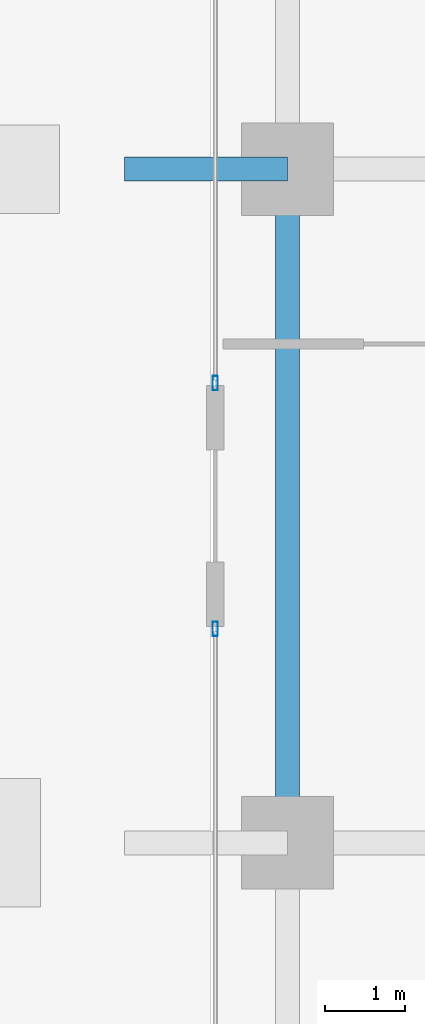
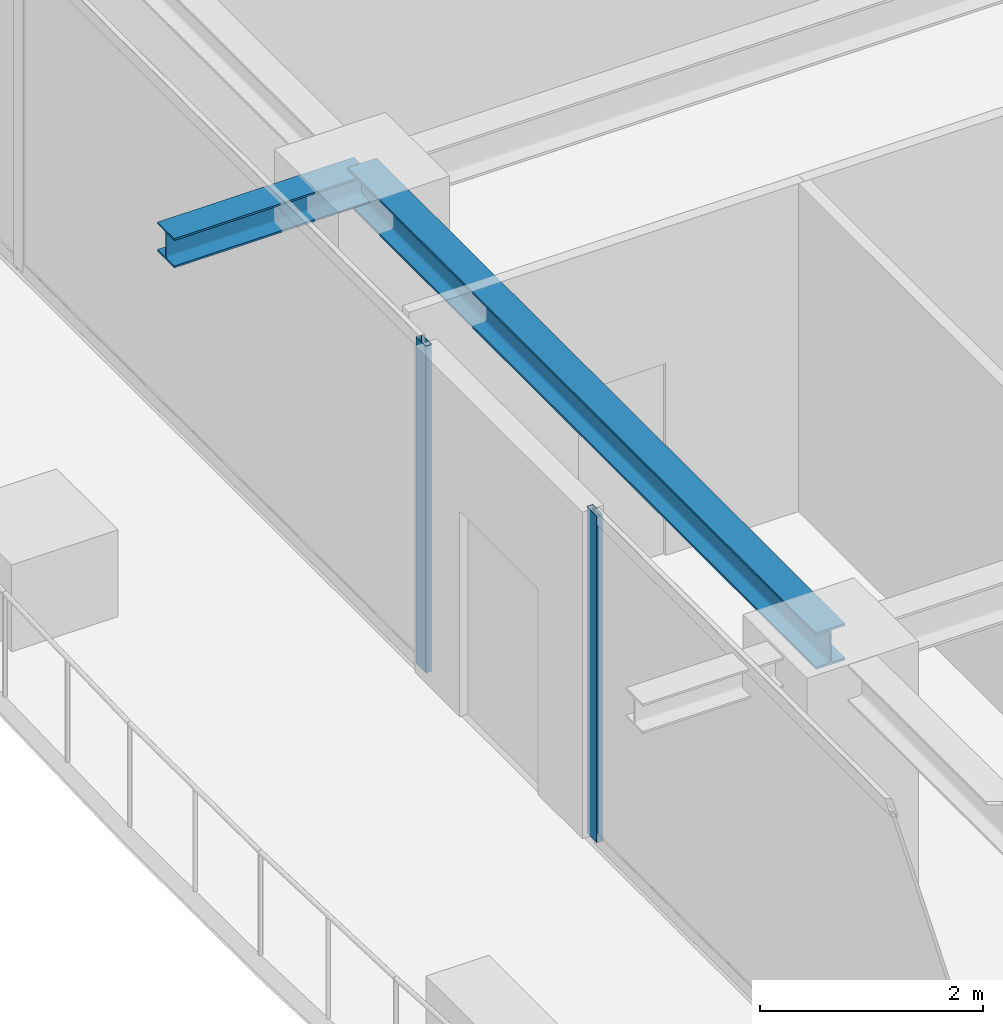
# One storey, part 10 of 36: 2 beams, 2 members, 2 elements without a shape of their own.
"""IFC4 building model written with IfcOpenShell, lengths in metres."""

from ifc_helpers import new_model, si_unit, direction, frame, origin, origin_2d, place, context, subcontext, project, spatial, hollow_rectangle, i_section, extrude, source, transform, mapped, material, layer, layer_set, material_profile, profile_set, type_object, element, aggregate, save


model = new_model("IFC4")

# Units and contexts
model_context = context("Model", 3, precision=1e-05, world=origin(), true_north=direction((0.0, 1.0)))
body_context = subcontext(model_context, "Body", "Model", "MODEL_VIEW")
ifc_project = project(units=[si_unit("LENGTHUNIT", "METRE"), si_unit("AREAUNIT", "SQUARE_METRE"), si_unit("VOLUMEUNIT", "CUBIC_METRE"), si_unit("PLANEANGLEUNIT", "RADIAN"), si_unit("MASSUNIT", "GRAM", prefix="KILO")], contexts=[model_context])

# Site, building, storey
site_placement = place(None, origin())
site = spatial("IfcSite", under=ifc_project, at=site_placement, CompositionType="ELEMENT")
building_placement = place(site_placement, origin())
building = spatial("IfcBuilding", under=site, at=building_placement, Name="Serunith Strait Residences", CompositionType="ELEMENT")
storey_placement = place(building_placement, frame((0.0, 0.0, 225.85009765625)))
storey = spatial("IfcBuildingStorey", under=building, at=storey_placement, Name="L56", CompositionType="ELEMENT", Elevation=225.85009765625)

# Beams
ifc_material_1 = material(Name="Steel S355J2", Category="steel")
ifc_material_profile_1 = material_profile(ifc_material_1, i_section(OverallWidth=0.300048828125, OverallDepth=0.39990234375, WebThickness=0.013427734375, FlangeThickness=0.02392578125, FilletRadius=0.027099609375, at=origin_2d()), Name="HEB 400")
ifc_profile_set_1 = profile_set([ifc_material_profile_1], Name="Steel S355J2")
beam_type_1 = type_object("IfcBeamType", Name="BM-HEB400", PredefinedType="BEAM", material=ifc_profile_set_1)
shared_shape_1 = source(origin(), body_context, "Body", "SweptSolid", [
    extrude(i_section(OverallWidth=0.300048828125, OverallDepth=0.39990234375, WebThickness=0.013427734375, FlangeThickness=0.02392578125, FilletRadius=0.027099609375, at=origin_2d()), origin(), (0.0, 0.0, 1.0), 8.39990234375),
])
beam_1_placement = place(storey_placement, frame((8.300048828125, 29.39990234375, 3.386962890625), z_axis=(0.0, -1.0, 0.0), x_axis=(1.0, 0.0, 0.0)))
element("IfcBeam", 1, at=beam_1_placement, inside=storey, type_object=beam_type_1, Name="L56 Perimeter Ring Beam 14", PredefinedType="BEAM", context=body_context, shape_type="MappedRepresentation", body=[
    mapped(shared_shape_1, transform((0.0, 0.0, 0.0), scale=1.0)),
])
ifc_material_profile_2 = material_profile(ifc_material_1, i_section(OverallWidth=0.300048828125, OverallDepth=0.320068359375, WebThickness=0.011474609375, FlangeThickness=0.0205078125, FilletRadius=0.027099609375, at=origin_2d()), Name="HEB 320")
ifc_profile_set_2 = profile_set([ifc_material_profile_2], Name="Steel S355J2")
beam_type_2 = type_object("IfcBeamType", Name="BM-HEB320", PredefinedType="BEAM", material=ifc_profile_set_2)
shared_shape_2 = source(origin(), body_context, "Body", "SweptSolid", [
    extrude(i_section(OverallWidth=0.300048828125, OverallDepth=0.320068359375, WebThickness=0.011474609375, FlangeThickness=0.0205078125, FilletRadius=0.027099609375, at=origin_2d()), origin(), (0.0, 0.0, 1.0), 2.030029296875),
])
beam_2_placement = place(storey_placement, frame((8.300048828125, 29.39990234375, 3.39697265625), z_axis=(-1.0, 0.0, 0.0), x_axis=(0.0, -1.0, 0.0)))
element("IfcBeam", 2, at=beam_2_placement, inside=storey, type_object=beam_type_2, Name="L57 Cantilevered Balcony Rib TC-W3", PredefinedType="BEAM", context=body_context, shape_type="MappedRepresentation", body=[
    mapped(shared_shape_2, transform((0.0, 0.0, 0.0), scale=1.0)),
])

# Curtain wall, member
ifc_material_2 = material(Name="Pale-Champagne Anodised Aluminium", Category="aluminium")
ifc_layer = layer(ifc_material_2, 0.199951171875, Name="Pale-Champagne Anodised Aluminium")
ifc_layer_set = layer_set([ifc_layer], Name="Pale-Champagne Anodised Aluminium")
curtain_wall_type = type_object("IfcCurtainWallType", Name="CW-SYS4", PredefinedType="NOTDEFINED", material=ifc_layer_set)
curtain_wall_1_placement = place(storey_placement, origin())
curtain_wall_1 = element("IfcCurtainWall", 3, at=curtain_wall_1_placement, inside=storey, type_object=curtain_wall_type, Name="L56 W Unitised Fritted Curtain Wall", PredefinedType="NOTDEFINED")
ifc_material_profile_3 = material_profile(ifc_material_2, hollow_rectangle(XDim=0.06494140625, YDim=0.179931640625, WallThickness=0.00341796875, InnerFilletRadius=0.00537109375, OuterFilletRadius=0.0087890625, at=origin_2d()), Name="ALU 180x65x3.5")
ifc_profile_set_3 = profile_set([ifc_material_profile_3], Name="Pale-Champagne Anodised Aluminium")
member_type = type_object("IfcMemberType", Name="CW-SYS4-MULL", PredefinedType="MULLION", material=ifc_profile_set_3)
shared_shape_3 = source(origin(), body_context, "Body", "SweptSolid", [
    extrude(hollow_rectangle(XDim=0.06494140625, YDim=0.179931640625, WallThickness=0.00341796875, InnerFilletRadius=0.00537109375, OuterFilletRadius=0.0087890625, at=origin_2d()), origin(), (0.0, 0.0, 1.0), 3.574951171875),
])
member_1_placement = place(storey_placement, frame((7.39990234375, 26.732421875, 0.0), z_axis=(0.0, 0.0, 1.0), x_axis=(1.0, 0.0, 0.0)))
member_1 = element("IfcMember", 4, at=member_1_placement, type_object=member_type, Name="CW-4 mullion 3", PredefinedType="MULLION", context=body_context, shape_type="MappedRepresentation", body=[
    mapped(shared_shape_3, transform((0.0, 0.0, 0.0), scale=1.0)),
])
aggregate(curtain_wall_1, [member_1])

curtain_wall_2_placement = place(storey_placement, origin())
curtain_wall_2 = element("IfcCurtainWall", 5, at=curtain_wall_2_placement, inside=storey, type_object=curtain_wall_type, Name="L56 W Unitised Fritted Curtain Wall", PredefinedType="NOTDEFINED")
member_2_placement = place(storey_placement, frame((7.39990234375, 23.66748046875, 0.0), z_axis=(0.0, 0.0, 1.0), x_axis=(1.0, 0.0, 0.0)))
member_2 = element("IfcMember", 6, at=member_2_placement, type_object=member_type, Name="CW-4 mullion 1", PredefinedType="MULLION", context=body_context, shape_type="MappedRepresentation", body=[
    mapped(shared_shape_3, transform((0.0, 0.0, 0.0), scale=1.0)),
])
aggregate(curtain_wall_2, [member_2])

save(model, "model.ifc")
